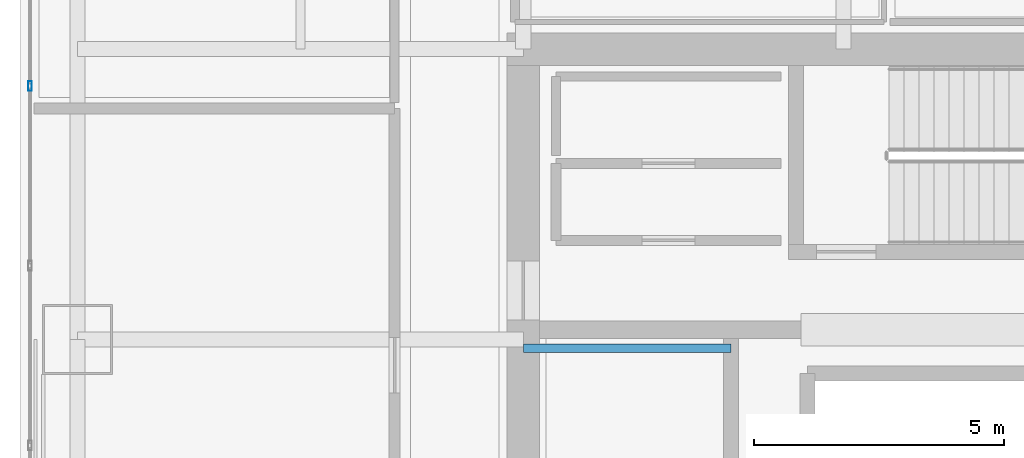
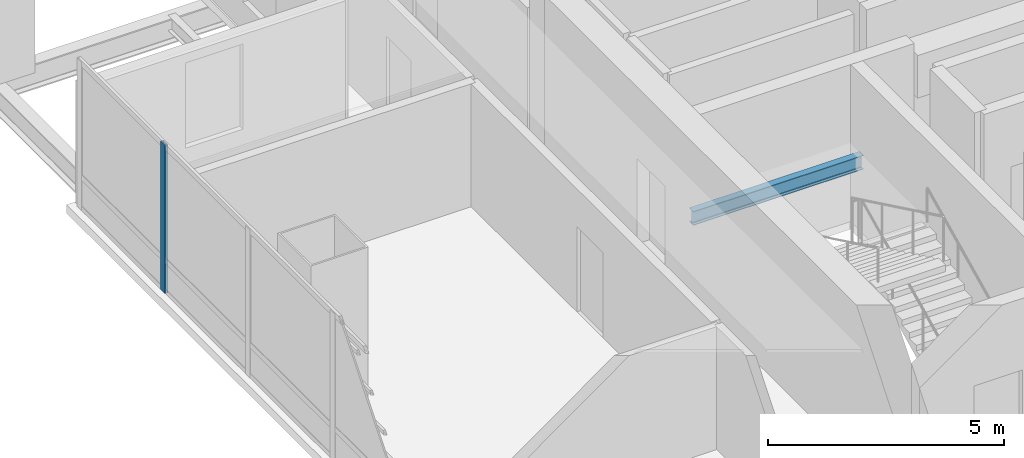
# One storey, part 12 of 37: 1 beam, 1 member, 1 element without a shape of its own.
"""IFC4 building model written with IfcOpenShell, lengths in metres."""

import ifcopenshell
import ifcopenshell.guid

model = None  # the IFC model being written
_history = None  # IfcOwnerHistory: only IFC2X3 demands one
_inside = {}  # id of a spatial element -> (the spatial element, [elements in it])
_under = {}  # id of a project, library or spatial element -> (it, [spatial elements below it])
_declared = {}  # id of a project -> (the project, [libraries it declares])
_typed = {}  # id of a type object -> (the type object, [elements of that type])
_made_of = {}  # id of a material, layer set ... -> (it, [elements and type objects made of it])


def new_model(schema):
    """Start an empty IFC model of exactly this schema.

    Asked for "IFC4X3", IfcOpenShell would pick the latest addendum, in which some entities
    have other attributes; the version numbers below select the first issue.
    IFC2X3 requires an IfcOwnerHistory on every rooted entity: one is made here for all.
    """
    global model, _history
    if schema == "IFC4X3":
        model = ifcopenshell.file(schema_version=(4, 3, 0, 0))
    else:
        model = ifcopenshell.file(schema=schema)
    _inside.clear()
    _under.clear()
    _declared.clear()
    _typed.clear()
    _made_of.clear()
    _history = None
    if model.schema == "IFC2X3":
        org = make("IfcOrganization", Name="unknown")
        user = make(
            "IfcPersonAndOrganization",
            ThePerson=make("IfcPerson", FamilyName="unknown"),
            TheOrganization=org,
        )
        app = make(
            "IfcApplication",
            ApplicationDeveloper=org,
            Version="unknown",
            ApplicationFullName="unknown",
            ApplicationIdentifier="unknown",
        )
        _history = make(
            "IfcOwnerHistory",
            OwningUser=user,
            OwningApplication=app,
            ChangeAction="ADDED",
            CreationDate=0,
        )
    return model


def make(cls, **values):
    """One entity of the class cls with the attributes given. An attribute that is None is left unset."""
    return model.create_entity(
        cls, **{name: value for name, value in values.items() if value is not None}
    )


def rooted(cls, **values):
    """An entity with a GlobalId (a new one), such as an element, a storey or a relation."""
    return make(cls, GlobalId=ifcopenshell.guid.new(), OwnerHistory=_history, **values)


def si_unit(unit_type, name, prefix=None):
    """IfcSIUnit, for example si_unit("LENGTHUNIT", "METRE", prefix="MILLI")."""
    return make("IfcSIUnit", UnitType=unit_type, Prefix=prefix, Name=name)


def assignment(units):
    """IfcUnitAssignment: the units of a project."""
    return None if units is None else make("IfcUnitAssignment", Units=units)


def point(xyz):
    """IfcCartesianPoint."""
    return None if xyz is None else make("IfcCartesianPoint", Coordinates=xyz)


def direction(xyz):
    """IfcDirection."""
    return None if xyz is None else make("IfcDirection", DirectionRatios=xyz)


def frame(location, z_axis=None, x_axis=None):
    """IfcAxis2Placement3D, a coordinate frame: its origin and axes. An axis left out is left unset."""
    return make(
        "IfcAxis2Placement3D",
        Location=point(location),
        Axis=direction(z_axis),
        RefDirection=direction(x_axis),
    )


def frame_2d(location, x_axis=None):
    """IfcAxis2Placement2D, a coordinate frame in the plane: its origin and x axis."""
    return make(
        "IfcAxis2Placement2D", Location=point(location), RefDirection=direction(x_axis)
    )


def origin():
    """The frame at (0, 0, 0) with its axes left unset."""
    return frame((0.0, 0.0, 0.0))


def origin_2d():
    """The frame at (0, 0) in the plane with its x axis left unset."""
    return frame_2d((0.0, 0.0))


def place(relative_to, where):
    """IfcLocalPlacement: puts the frame where relative to a parent placement (None: the world)."""
    return make(
        "IfcLocalPlacement", PlacementRelTo=relative_to, RelativePlacement=where
    )


def context(
    kind, dimensions, precision=None, world=None, true_north=None, identifier=None
):
    """IfcGeometricRepresentationContext, for example the 3D "Model" context."""
    return make(
        "IfcGeometricRepresentationContext",
        ContextIdentifier=identifier,
        ContextType=kind,
        CoordinateSpaceDimension=dimensions,
        Precision=precision,
        WorldCoordinateSystem=world,
        TrueNorth=true_north,
    )


def subcontext(parent, identifier, kind, view, scale=None):
    """IfcGeometricRepresentationSubContext, for example "Body" below "Model"."""
    return make(
        "IfcGeometricRepresentationSubContext",
        ContextIdentifier=identifier,
        ContextType=kind,
        ParentContext=parent,
        TargetScale=scale,
        TargetView=view,
    )


def project(units=None, contexts=None):
    """IfcProject with its units and contexts."""
    return rooted(
        "IfcProject",
        Name="project",
        RepresentationContexts=contexts,
        UnitsInContext=assignment(units),
    )


def spatial(cls, under=None, at=None, **own):
    """A site, building, storey or space (cls), placed at a placement, below another one or the project."""
    s = rooted(cls, ObjectPlacement=at, **own)
    if under is not None:
        _under.setdefault(under.id(), (under, []))[1].append(s)
    return s


def profile(cls, at=None, kind="AREA", **sizes):
    """A parametric profile (cls). Its sizes go by their IFC names, for example OverallWidth=200.0."""
    return make(cls, ProfileType=kind, Position=at, **sizes)


def hollow_rectangle(**sizes):
    """IfcRectangleHollowProfileDef."""
    return profile("IfcRectangleHollowProfileDef", **sizes)


def i_section(**sizes):
    """IfcIShapeProfileDef."""
    return profile("IfcIShapeProfileDef", **sizes)


def extrude(swept, where, along, depth):
    """IfcExtrudedAreaSolid: the profile swept, set in the frame where, extruded along a direction by depth."""
    return make(
        "IfcExtrudedAreaSolid",
        SweptArea=swept,
        Position=where,
        ExtrudedDirection=direction(along),
        Depth=depth,
    )


def shape(context_of_items, identifier, shape_type, items):
    """IfcShapeRepresentation: the items that make up one representation, for example the "Body"."""
    return make(
        "IfcShapeRepresentation",
        ContextOfItems=context_of_items,
        RepresentationIdentifier=identifier,
        RepresentationType=shape_type,
        Items=items,
    )


def material(Name=None, Category=None):
    """IfcMaterial."""
    return make("IfcMaterial", Name=Name, Category=Category)


def material_profile(
    of_material, cross_section, Name=None, Category=None, Priority=None
):
    """IfcMaterialProfile: a cross section and its material."""
    return make(
        "IfcMaterialProfile",
        Name=Name,
        Material=of_material,
        Profile=cross_section,
        Priority=Priority,
        Category=Category,
    )


def profile_set(profiles, Name=None, composite=None):
    """IfcMaterialProfileSet."""
    return make(
        "IfcMaterialProfileSet",
        Name=Name,
        MaterialProfiles=profiles,
        CompositeProfile=composite,
    )


def made_of(thing, what):
    """Note that an element or type object is made of a material, layer set ...; save() writes the relation."""
    if what is not None:
        _made_of.setdefault(what.id(), (what, []))[1].append(thing)
    return thing


def type_object(cls, material=None, **own):
    """A type object (cls), such as IfcWallType, which elements share."""
    return made_of(rooted(cls, **own), material)


def element(
    cls,
    number,
    at=None,
    inside=None,
    cuts=None,
    type_object=None,
    material=None,
    context=None,
    identifier="Body",
    shape_type=None,
    held_by="IfcProductDefinitionShape",
    body=None,
    shapes=None,
    **own,
):
    """One element of the class cls, such as IfcWall. Its Tag is "e" and its number.

    at: its placement. inside: the storey or other place that contains it. cuts: it is an
    opening in that element (IfcRelVoidsElement). A single representation is given by context,
    identifier, shape_type and body (its items); several are given by shapes. held_by: the class
    of the entity that holds the representations. save() writes the other relations.
    """
    e = rooted(cls, Tag="e%d" % number, ObjectPlacement=at, **own)
    if body is not None:
        shapes = [shape(context, identifier, shape_type, body)]
    if shapes is not None:
        e.Representation = make(held_by, Representations=shapes)
    if inside is not None:
        _inside.setdefault(inside.id(), (inside, []))[1].append(e)
    if cuts is not None:
        rooted(
            "IfcRelVoidsElement", RelatingBuildingElement=cuts, RelatedOpeningElement=e
        )
    if type_object is not None:
        _typed.setdefault(type_object.id(), (type_object, []))[1].append(e)
    return made_of(e, material)


def aggregate(whole, parts):
    """IfcRelAggregates: a whole, such as a stair, and the parts it consists of."""
    return rooted("IfcRelAggregates", RelatingObject=whole, RelatedObjects=parts)


def save(model, path):
    """Write the relations noted so far, then the file.

    IfcRelAggregates (storeys below a building ...), IfcRelContainedInSpatialStructure (elements
    in a storey), IfcRelDefinesByType, IfcRelAssociatesMaterial and IfcRelDeclares: one each for
    every whole, place, type object, material and project.
    """
    for whole, parts in _under.values():
        aggregate(whole, parts)
    for where, things in _inside.values():
        rooted(
            "IfcRelContainedInSpatialStructure",
            RelatedElements=things,
            RelatingStructure=where,
        )
    for kind, things in _typed.values():
        rooted("IfcRelDefinesByType", RelatedObjects=things, RelatingType=kind)
    for what, things in _made_of.values():
        rooted("IfcRelAssociatesMaterial", RelatedObjects=things, RelatingMaterial=what)
    for by, libraries in _declared.values():
        rooted("IfcRelDeclares", RelatingContext=by, RelatedDefinitions=libraries)
    model.write(path)


model = new_model("IFC4")

# Units and contexts
model_context = context("Model", 3, precision=1e-05, world=origin(), true_north=direction((0.0, 1.0)))
body_context = subcontext(model_context, "Body", "Model", "MODEL_VIEW")
ifc_project = project(units=[si_unit("LENGTHUNIT", "METRE"), si_unit("AREAUNIT", "SQUARE_METRE"), si_unit("VOLUMEUNIT", "CUBIC_METRE"), si_unit("PLANEANGLEUNIT", "RADIAN"), si_unit("MASSUNIT", "GRAM", prefix="KILO")], contexts=[model_context])

# Site, building, storey
site_placement = place(None, origin())
site = spatial("IfcSite", under=ifc_project, at=site_placement, CompositionType="ELEMENT")
building_placement = place(site_placement, origin())
building = spatial("IfcBuilding", under=site, at=building_placement, Name="Punatoya Terracotta Tower", CompositionType="ELEMENT")
storey_placement = place(building_placement, frame((0.0, 0.0, 224.85009765625)))
storey = spatial("IfcBuildingStorey", under=building, at=storey_placement, Name="L53", CompositionType="ELEMENT", Elevation=224.85009765625)

# Beam
ifc_material_1 = material(Name="Steel S355", Category="steel")
ifc_material_profile_1 = material_profile(ifc_material_1, i_section(OverallWidth=0.169921875, OverallDepth=0.360107421875, WebThickness=0.008056640625, FlangeThickness=0.0126953125, FilletRadius=0.01806640625, at=origin_2d()))
ifc_profile_set_1 = profile_set([ifc_material_profile_1], Name="Steel S355")
beam_type = type_object("IfcBeamType", Name="BM-SEC-360", PredefinedType="JOIST", material=ifc_profile_set_1)
beam_placement = place(storey_placement, frame((-10.199951171875, 3.22998046875, 1.64501953125), z_axis=(1.0, 0.0, 0.0), x_axis=(0.0, 1.0, 0.0)))
element("IfcBeam", 1, at=beam_placement, inside=storey, type_object=beam_type, Name="BM-L53-ST-1-LD1B", PredefinedType="JOIST", context=body_context, shape_type="SweptSolid", body=[
    extrude(i_section(OverallWidth=0.169921875, OverallDepth=0.360107421875, WebThickness=0.008056640625, FlangeThickness=0.0126953125, FilletRadius=0.01806640625, at=origin_2d()), origin(), (0.0, 0.0, 1.0), 4.14990234375),
])

# Curtain wall, member
ifc_material_2 = material(Name="Aluminium 6063-T6 + Double Low-E Glass", Category="aluminium")
curtain_wall_type = type_object("IfcCurtainWallType", Name="CW-M2", PredefinedType="NOTDEFINED", material=ifc_material_2)
curtain_wall_placement = place(storey_placement, origin())
curtain_wall = element("IfcCurtainWall", 2, at=curtain_wall_placement, inside=storey, type_object=curtain_wall_type, Name="L53 Curtain Wall CW-L53-W11-1", PredefinedType="NOTDEFINED")
ifc_material_3 = material(Name="Aluminium 6063-T6", Category="aluminium")
ifc_material_profile_2 = material_profile(ifc_material_3, hollow_rectangle(XDim=0.072021484375, YDim=0.195068359375, WallThickness=0.00439453125, at=origin_2d()))
ifc_profile_set_2 = profile_set([ifc_material_profile_2], Name="Aluminium 6063-T6")
member_type = type_object("IfcMemberType", Name="CW-MUL-M2", PredefinedType="MULLION", material=ifc_profile_set_2)
member_placement = place(storey_placement, frame((-20.050048828125, 8.462646484375, 0.0), z_axis=(0.0, 0.0, 1.0), x_axis=(1.0, 0.0, 0.0)))
member = element("IfcMember", 3, at=member_placement, type_object=member_type, Name="CW-L53-W11-1 Mullion 01", PredefinedType="MULLION", context=body_context, shape_type="SweptSolid", body=[
    extrude(hollow_rectangle(XDim=0.072021484375, YDim=0.195068359375, WallThickness=0.00439453125, at=origin_2d()), origin(), (0.0, 0.0, 1.0), 3.829833984375),
])
aggregate(curtain_wall, [member])

save(model, "model.ifc")
